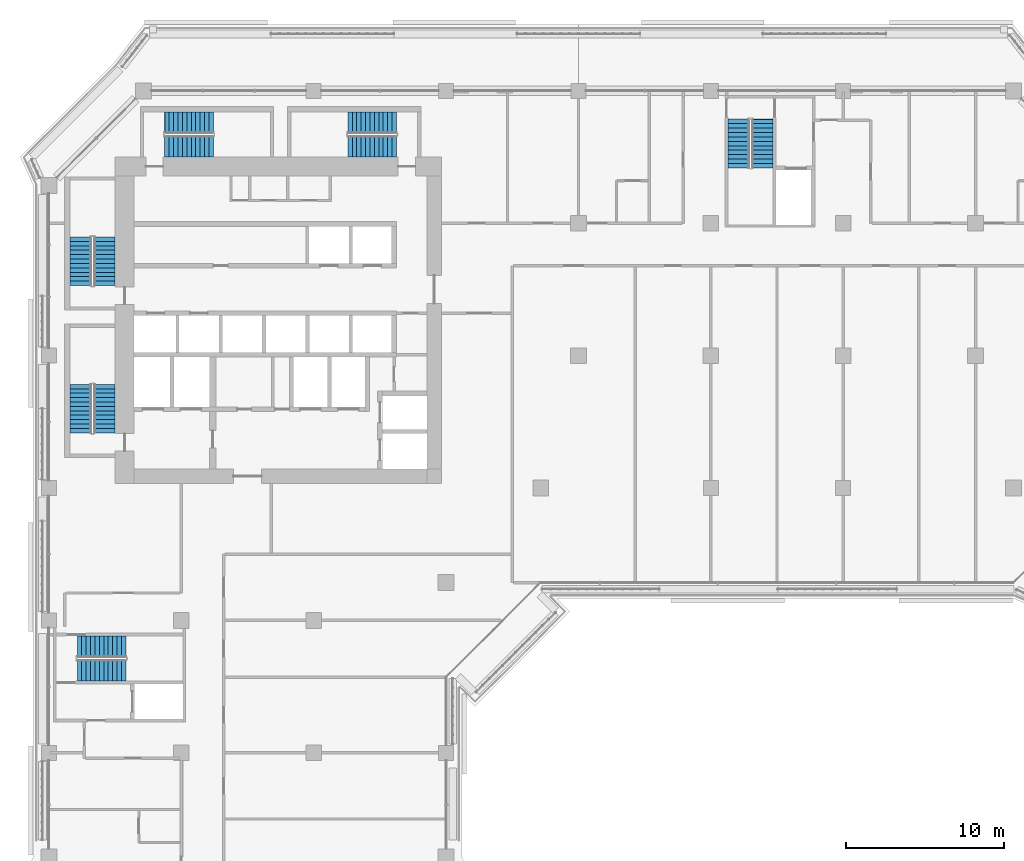
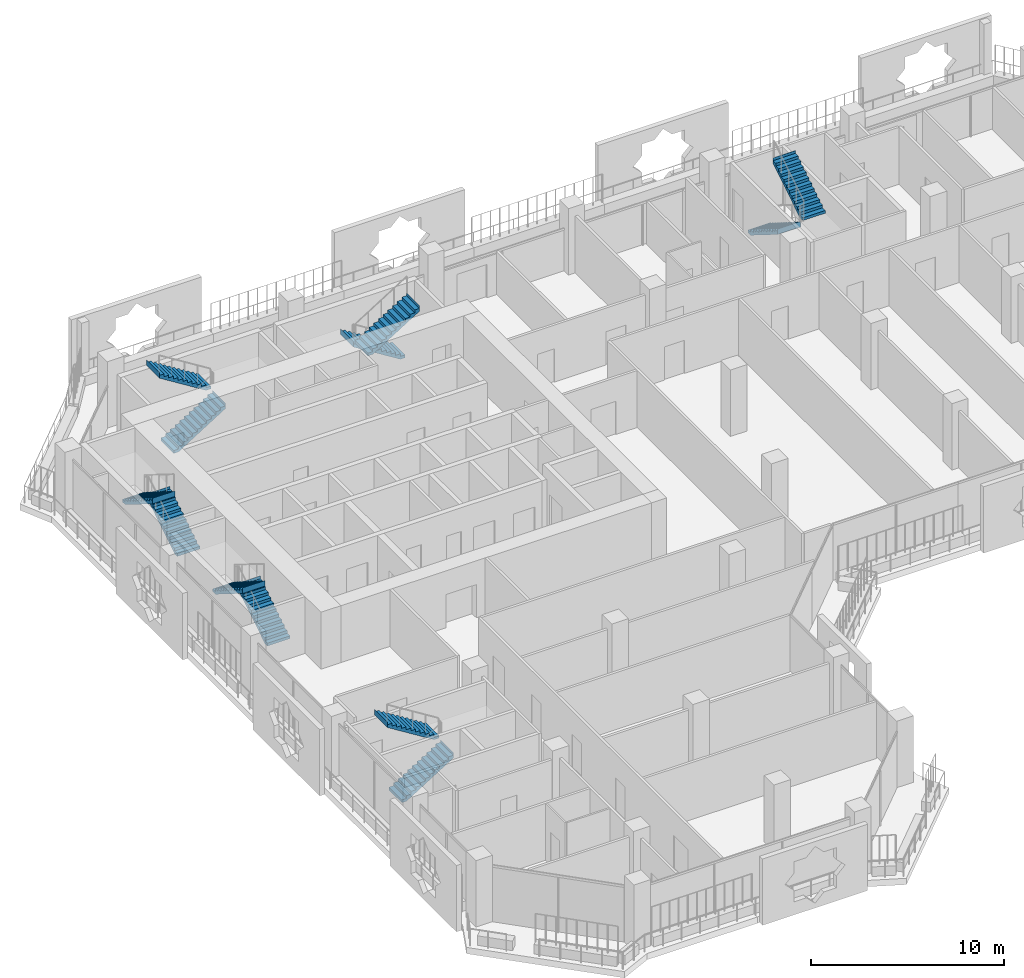
# One storey, part 14 of 22: 12 stair flights, 6 elements without a shape of their own.
"""IFC4 building model written with IfcOpenShell, lengths in metres."""

from ifc_helpers import new_model, si_unit, direction, frame, origin, place, context, subcontext, project, spatial, polyline, outline, extrude, material, type_object, element, aggregate, save


model = new_model("IFC4")

# Units and contexts
model_context = context("Model", 3, precision=1e-05, world=origin(), true_north=direction((0.0, 1.0)))
body_context = subcontext(model_context, "Body", "Model", "MODEL_VIEW")
ifc_project = project(units=[si_unit("LENGTHUNIT", "METRE"), si_unit("AREAUNIT", "SQUARE_METRE"), si_unit("VOLUMEUNIT", "CUBIC_METRE"), si_unit("PLANEANGLEUNIT", "RADIAN"), si_unit("MASSUNIT", "GRAM", prefix="KILO")], contexts=[model_context])

# Site, building, storey
site_placement = place(None, origin())
site = spatial("IfcSite", under=ifc_project, at=site_placement, CompositionType="ELEMENT")
building_placement = place(site_placement, origin())
building = spatial("IfcBuilding", under=site, at=building_placement, Name="Kawkab Arch Medical Tower", CompositionType="ELEMENT")
storey_placement = place(building_placement, frame((0.0, 0.0, 179.39990234375)))
storey = spatial("IfcBuildingStorey", under=building, at=storey_placement, Name="L41", CompositionType="ELEMENT", Elevation=179.39990234375)

# Stair, stair flights
ifc_material_1 = material(Name="Concrete C40/50", Category="concrete")
stair_type = type_object("IfcStairType", Name="Exit stair 1350", PredefinedType="HALF_TURN_STAIR", material=ifc_material_1)
placement = place(storey_placement, origin())
stair_1 = element("IfcStair", 1, at=placement, inside=storey, type_object=stair_type, Name="L41 Exit stair ST1", PredefinedType="HALF_TURN_STAIR")
ifc_material_2 = material(Name="Concrete C40/50", Category="concrete")
stair_flight_type = type_object("IfcStairFlightType", Name="Exit stair flight 1350", PredefinedType="STRAIGHT", material=ifc_material_2)
stair_flight_1_placement = place(storey_placement, frame((3.52490234375, -12.35009765625, 0.0), z_axis=(0.0, 0.0, 1.0), x_axis=(0.0, 1.0, 0.0)))
stair_flight_1 = element("IfcStairFlight", 2, at=stair_flight_1_placement, type_object=stair_flight_type, Name="ST1 flight 1", NumberOfRisers=12, NumberOfTreads=11, PredefinedType="STRAIGHT", RiserHeight=0.175, TreadLength=0.28, context=body_context, shape_type="SweptSolid", body=[
    extrude(outline(polyline([(-0.0029296875, 0.0), (-0.0029296875, 0.175048828125), (0.0, 0.175048828125), (0.280029296875, 0.175048828125), (0.280029296875, 0.35009765625), (0.56005859375, 0.35009765625), (0.56005859375, 0.52490234375), (0.840087890625, 0.52490234375), (0.840087890625, 0.699951171875), (1.1201171875, 0.699951171875), (1.1201171875, 0.875), (1.39990234375, 0.875), (1.39990234375, 1.050048828125), (1.679931640625, 1.050048828125), (1.679931640625, 1.22509765625), (1.9599609375, 1.22509765625), (1.9599609375, 1.39990234375), (2.239990234375, 1.39990234375), (2.239990234375, 1.574951171875), (2.52001953125, 1.574951171875), (2.52001953125, 1.75), (2.800048828125, 1.75), (2.800048828125, 1.925048828125), (3.080078125, 1.925048828125), (3.080078125, 2.10009765625), (3.0830078125, 2.10009765625), (3.0830078125, 1.748291015625), (3.080078125, 1.748291015625), (0.28271484375, 0.0), (-0.0029296875, 0.0)])), frame((0.0, 0.675048828125, 0.0), z_axis=(0.0, -1.0, 0.0), x_axis=(1.0, 0.0, 0.0)), (0.0, 0.0, 1.0), 1.35009765625),
])
stair_flight_2_placement = place(storey_placement, frame((2.02490234375, -9.27001953125, 2.10009765625), z_axis=(0.0, 0.0, 1.0), x_axis=(0.0, -1.0, 0.0)))
stair_flight_2 = element("IfcStairFlight", 3, at=stair_flight_2_placement, type_object=stair_flight_type, Name="ST1 flight 2", NumberOfRisers=12, NumberOfTreads=11, PredefinedType="STRAIGHT", RiserHeight=0.175, TreadLength=0.28, context=body_context, shape_type="SweptSolid", body=[
    extrude(outline(polyline([(-0.0029296875, 0.0), (-0.0029296875, 0.175048828125), (0.0, 0.175048828125), (0.280029296875, 0.175048828125), (0.280029296875, 0.35009765625), (0.56005859375, 0.35009765625), (0.56005859375, 0.52490234375), (0.840087890625, 0.52490234375), (0.840087890625, 0.699951171875), (1.1201171875, 0.699951171875), (1.1201171875, 0.875), (1.39990234375, 0.875), (1.39990234375, 1.050048828125), (1.679931640625, 1.050048828125), (1.679931640625, 1.22509765625), (1.9599609375, 1.22509765625), (1.9599609375, 1.39990234375), (2.239990234375, 1.39990234375), (2.239990234375, 1.574951171875), (2.52001953125, 1.574951171875), (2.52001953125, 1.75), (2.800048828125, 1.75), (2.800048828125, 1.925048828125), (3.080078125, 1.925048828125), (3.080078125, 2.10009765625), (3.0830078125, 2.10009765625), (3.0830078125, 1.748291015625), (3.080078125, 1.748291015625), (0.28271484375, 0.0), (-0.0029296875, 0.0)])), frame((0.0, 0.675048828125, 0.0), z_axis=(0.0, -1.0, 0.0), x_axis=(1.0, 0.0, 0.0)), (0.0, 0.0, 1.0), 1.35009765625),
])
aggregate(stair_1, [stair_flight_1, stair_flight_2])

stair_2 = element("IfcStair", 4, at=placement, inside=storey, type_object=stair_type, Name="L41 Exit stair ST2", PredefinedType="HALF_TURN_STAIR")
stair_flight_3_placement = place(storey_placement, frame((3.52490234375, -21.699951171875, 0.0), z_axis=(0.0, 0.0, 1.0), x_axis=(0.0, 1.0, 0.0)))
stair_flight_3 = element("IfcStairFlight", 5, at=stair_flight_3_placement, type_object=stair_flight_type, Name="ST2 flight 1", NumberOfRisers=12, NumberOfTreads=11, PredefinedType="STRAIGHT", RiserHeight=0.175, TreadLength=0.28, context=body_context, shape_type="SweptSolid", body=[
    extrude(outline(polyline([(-0.0029296875, 0.0), (-0.0029296875, 0.175048828125), (0.0, 0.175048828125), (0.280029296875, 0.175048828125), (0.280029296875, 0.35009765625), (0.56005859375, 0.35009765625), (0.56005859375, 0.52490234375), (0.840087890625, 0.52490234375), (0.840087890625, 0.699951171875), (1.1201171875, 0.699951171875), (1.1201171875, 0.875), (1.39990234375, 0.875), (1.39990234375, 1.050048828125), (1.679931640625, 1.050048828125), (1.679931640625, 1.22509765625), (1.9599609375, 1.22509765625), (1.9599609375, 1.39990234375), (2.239990234375, 1.39990234375), (2.239990234375, 1.574951171875), (2.52001953125, 1.574951171875), (2.52001953125, 1.75), (2.800048828125, 1.75), (2.800048828125, 1.925048828125), (3.080078125, 1.925048828125), (3.080078125, 2.10009765625), (3.0830078125, 2.10009765625), (3.0830078125, 1.748291015625), (3.080078125, 1.748291015625), (0.28271484375, 0.0), (-0.0029296875, 0.0)])), frame((0.0, 0.675048828125, 0.0), z_axis=(0.0, -1.0, 0.0), x_axis=(1.0, 0.0, 0.0)), (0.0, 0.0, 1.0), 1.35009765625),
])
stair_flight_4_placement = place(storey_placement, frame((2.02490234375, -18.6201171875, 2.10009765625), z_axis=(0.0, 0.0, 1.0), x_axis=(0.0, -1.0, 0.0)))
stair_flight_4 = element("IfcStairFlight", 6, at=stair_flight_4_placement, type_object=stair_flight_type, Name="ST2 flight 2", NumberOfRisers=12, NumberOfTreads=11, PredefinedType="STRAIGHT", RiserHeight=0.175, TreadLength=0.28, context=body_context, shape_type="SweptSolid", body=[
    extrude(outline(polyline([(-0.0029296875, 0.0), (-0.0029296875, 0.175048828125), (0.0, 0.175048828125), (0.280029296875, 0.175048828125), (0.280029296875, 0.35009765625), (0.56005859375, 0.35009765625), (0.56005859375, 0.52490234375), (0.840087890625, 0.52490234375), (0.840087890625, 0.699951171875), (1.1201171875, 0.699951171875), (1.1201171875, 0.875), (1.39990234375, 0.875), (1.39990234375, 1.050048828125), (1.679931640625, 1.050048828125), (1.679931640625, 1.22509765625), (1.9599609375, 1.22509765625), (1.9599609375, 1.39990234375), (2.239990234375, 1.39990234375), (2.239990234375, 1.574951171875), (2.52001953125, 1.574951171875), (2.52001953125, 1.75), (2.800048828125, 1.75), (2.800048828125, 1.925048828125), (3.080078125, 1.925048828125), (3.080078125, 2.10009765625), (3.0830078125, 2.10009765625), (3.0830078125, 1.748291015625), (3.080078125, 1.748291015625), (0.28271484375, 0.0), (-0.0029296875, 0.0)])), frame((0.0, 0.675048828125, 0.0), z_axis=(0.0, -1.0, 0.0), x_axis=(1.0, 0.0, 0.0)), (0.0, 0.0, 1.0), 1.35009765625),
])
aggregate(stair_2, [stair_flight_3, stair_flight_4])

stair_3 = element("IfcStair", 7, at=placement, inside=storey, type_object=stair_type, Name="L41 Exit stair ST3", PredefinedType="HALF_TURN_STAIR")
stair_flight_5_placement = place(storey_placement, frame((7.35009765625, -3.52490234375, 0.0), z_axis=(0.0, 0.0, 1.0), x_axis=(1.0, 0.0, 0.0)))
stair_flight_5 = element("IfcStairFlight", 8, at=stair_flight_5_placement, type_object=stair_flight_type, Name="ST3 flight 1", NumberOfRisers=12, NumberOfTreads=11, PredefinedType="STRAIGHT", RiserHeight=0.175, TreadLength=0.28, context=body_context, shape_type="SweptSolid", body=[
    extrude(outline(polyline([(-0.0029296875, 0.0), (-0.0029296875, 0.175048828125), (0.0, 0.175048828125), (0.280029296875, 0.175048828125), (0.280029296875, 0.35009765625), (0.56005859375, 0.35009765625), (0.56005859375, 0.52490234375), (0.840087890625, 0.52490234375), (0.840087890625, 0.699951171875), (1.1201171875, 0.699951171875), (1.1201171875, 0.875), (1.39990234375, 0.875), (1.39990234375, 1.050048828125), (1.679931640625, 1.050048828125), (1.679931640625, 1.22509765625), (1.9599609375, 1.22509765625), (1.9599609375, 1.39990234375), (2.239990234375, 1.39990234375), (2.239990234375, 1.574951171875), (2.52001953125, 1.574951171875), (2.52001953125, 1.75), (2.800048828125, 1.75), (2.800048828125, 1.925048828125), (3.080078125, 1.925048828125), (3.080078125, 2.10009765625), (3.0830078125, 2.10009765625), (3.0830078125, 1.748291015625), (3.080078125, 1.748291015625), (0.28271484375, 0.0), (-0.0029296875, 0.0)])), frame((0.0, 0.675048828125, 0.0), z_axis=(0.0, -1.0, 0.0), x_axis=(1.0, 0.0, 0.0)), (0.0, 0.0, 1.0), 1.35009765625),
])
stair_flight_6_placement = place(storey_placement, frame((10.429931640625, -2.02490234375, 2.10009765625), z_axis=(0.0, 0.0, 1.0), x_axis=(-1.0, 0.0, 0.0)))
stair_flight_6 = element("IfcStairFlight", 9, at=stair_flight_6_placement, type_object=stair_flight_type, Name="ST3 flight 2", NumberOfRisers=12, NumberOfTreads=11, PredefinedType="STRAIGHT", RiserHeight=0.175, TreadLength=0.28, context=body_context, shape_type="SweptSolid", body=[
    extrude(outline(polyline([(-0.0029296875, 0.0), (-0.0029296875, 0.175048828125), (0.0, 0.175048828125), (0.280029296875, 0.175048828125), (0.280029296875, 0.35009765625), (0.56005859375, 0.35009765625), (0.56005859375, 0.52490234375), (0.840087890625, 0.52490234375), (0.840087890625, 0.699951171875), (1.1201171875, 0.699951171875), (1.1201171875, 0.875), (1.39990234375, 0.875), (1.39990234375, 1.050048828125), (1.679931640625, 1.050048828125), (1.679931640625, 1.22509765625), (1.9599609375, 1.22509765625), (1.9599609375, 1.39990234375), (2.239990234375, 1.39990234375), (2.239990234375, 1.574951171875), (2.52001953125, 1.574951171875), (2.52001953125, 1.75), (2.800048828125, 1.75), (2.800048828125, 1.925048828125), (3.080078125, 1.925048828125), (3.080078125, 2.10009765625), (3.0830078125, 2.10009765625), (3.0830078125, 1.748291015625), (3.080078125, 1.748291015625), (0.28271484375, 0.0), (-0.0029296875, 0.0)])), frame((0.0, 0.675048828125, 0.0), z_axis=(0.0, -1.0, 0.0), x_axis=(1.0, 0.0, 0.0)), (0.0, 0.0, 1.0), 1.35009765625),
])
aggregate(stair_3, [stair_flight_5, stair_flight_6])

stair_4 = element("IfcStair", 10, at=placement, inside=storey, type_object=stair_type, Name="L41 Exit stair ST4", PredefinedType="HALF_TURN_STAIR")
stair_flight_7_placement = place(storey_placement, frame((22.050048828125, -2.02490234375, 0.0), z_axis=(0.0, 0.0, 1.0), x_axis=(-1.0, 0.0, 0.0)))
stair_flight_7 = element("IfcStairFlight", 11, at=stair_flight_7_placement, type_object=stair_flight_type, Name="ST4 flight 1", NumberOfRisers=12, NumberOfTreads=11, PredefinedType="STRAIGHT", RiserHeight=0.175, TreadLength=0.28, context=body_context, shape_type="SweptSolid", body=[
    extrude(outline(polyline([(-0.0029296875, 0.0), (-0.0029296875, 0.175048828125), (0.0, 0.175048828125), (0.280029296875, 0.175048828125), (0.280029296875, 0.35009765625), (0.56005859375, 0.35009765625), (0.56005859375, 0.52490234375), (0.840087890625, 0.52490234375), (0.840087890625, 0.699951171875), (1.1201171875, 0.699951171875), (1.1201171875, 0.875), (1.39990234375, 0.875), (1.39990234375, 1.050048828125), (1.679931640625, 1.050048828125), (1.679931640625, 1.22509765625), (1.9599609375, 1.22509765625), (1.9599609375, 1.39990234375), (2.239990234375, 1.39990234375), (2.239990234375, 1.574951171875), (2.52001953125, 1.574951171875), (2.52001953125, 1.75), (2.800048828125, 1.75), (2.800048828125, 1.925048828125), (3.080078125, 1.925048828125), (3.080078125, 2.10009765625), (3.0830078125, 2.10009765625), (3.0830078125, 1.748291015625), (3.080078125, 1.748291015625), (0.28271484375, 0.0), (-0.0029296875, 0.0)])), frame((0.0, 0.675048828125, 0.0), z_axis=(0.0, -1.0, 0.0), x_axis=(1.0, 0.0, 0.0)), (0.0, 0.0, 1.0), 1.35009765625),
])
stair_flight_8_placement = place(storey_placement, frame((18.969970703125, -3.52490234375, 2.10009765625), z_axis=(0.0, 0.0, 1.0), x_axis=(1.0, 0.0, 0.0)))
stair_flight_8 = element("IfcStairFlight", 12, at=stair_flight_8_placement, type_object=stair_flight_type, Name="ST4 flight 2", NumberOfRisers=12, NumberOfTreads=11, PredefinedType="STRAIGHT", RiserHeight=0.175, TreadLength=0.28, context=body_context, shape_type="SweptSolid", body=[
    extrude(outline(polyline([(-0.0029296875, 0.0), (-0.0029296875, 0.175048828125), (0.0, 0.175048828125), (0.280029296875, 0.175048828125), (0.280029296875, 0.35009765625), (0.56005859375, 0.35009765625), (0.56005859375, 0.52490234375), (0.840087890625, 0.52490234375), (0.840087890625, 0.699951171875), (1.1201171875, 0.699951171875), (1.1201171875, 0.875), (1.39990234375, 0.875), (1.39990234375, 1.050048828125), (1.679931640625, 1.050048828125), (1.679931640625, 1.22509765625), (1.9599609375, 1.22509765625), (1.9599609375, 1.39990234375), (2.239990234375, 1.39990234375), (2.239990234375, 1.574951171875), (2.52001953125, 1.574951171875), (2.52001953125, 1.75), (2.800048828125, 1.75), (2.800048828125, 1.925048828125), (3.080078125, 1.925048828125), (3.080078125, 2.10009765625), (3.0830078125, 2.10009765625), (3.0830078125, 1.748291015625), (3.080078125, 1.748291015625), (0.28271484375, 0.0), (-0.0029296875, 0.0)])), frame((0.0, 0.675048828125, 0.0), z_axis=(0.0, -1.0, 0.0), x_axis=(1.0, 0.0, 0.0)), (0.0, 0.0, 1.0), 1.35009765625),
])
aggregate(stair_4, [stair_flight_7, stair_flight_8])

stair_5 = element("IfcStair", 13, at=placement, inside=storey, type_object=stair_type, Name="L41 Exit stair ST5", PredefinedType="HALF_TURN_STAIR")
stair_flight_9_placement = place(storey_placement, frame((43.77490234375, -1.800048828125, 0.0), z_axis=(0.0, 0.0, 1.0), x_axis=(0.0, -1.0, 0.0)))
stair_flight_9 = element("IfcStairFlight", 14, at=stair_flight_9_placement, type_object=stair_flight_type, Name="ST5 flight 1", NumberOfRisers=12, NumberOfTreads=11, PredefinedType="STRAIGHT", RiserHeight=0.175, TreadLength=0.28, context=body_context, shape_type="SweptSolid", body=[
    extrude(outline(polyline([(-0.0029296875, 0.0), (-0.0029296875, 0.175048828125), (0.0, 0.175048828125), (0.280029296875, 0.175048828125), (0.280029296875, 0.35009765625), (0.56005859375, 0.35009765625), (0.56005859375, 0.52490234375), (0.840087890625, 0.52490234375), (0.840087890625, 0.699951171875), (1.1201171875, 0.699951171875), (1.1201171875, 0.875), (1.39990234375, 0.875), (1.39990234375, 1.050048828125), (1.679931640625, 1.050048828125), (1.679931640625, 1.22509765625), (1.9599609375, 1.22509765625), (1.9599609375, 1.39990234375), (2.239990234375, 1.39990234375), (2.239990234375, 1.574951171875), (2.52001953125, 1.574951171875), (2.52001953125, 1.75), (2.800048828125, 1.75), (2.800048828125, 1.925048828125), (3.080078125, 1.925048828125), (3.080078125, 2.10009765625), (3.0830078125, 2.10009765625), (3.0830078125, 1.748291015625), (3.080078125, 1.748291015625), (0.28271484375, 0.0), (-0.0029296875, 0.0)])), frame((0.0, 0.675048828125, 0.0), z_axis=(0.0, -1.0, 0.0), x_axis=(1.0, 0.0, 0.0)), (0.0, 0.0, 1.0), 1.35009765625),
])
stair_flight_10_placement = place(storey_placement, frame((45.27490234375, -4.8798828125, 2.10009765625), z_axis=(0.0, 0.0, 1.0), x_axis=(0.0, 1.0, 0.0)))
stair_flight_10 = element("IfcStairFlight", 15, at=stair_flight_10_placement, type_object=stair_flight_type, Name="ST5 flight 2", NumberOfRisers=12, NumberOfTreads=11, PredefinedType="STRAIGHT", RiserHeight=0.175, TreadLength=0.28, context=body_context, shape_type="SweptSolid", body=[
    extrude(outline(polyline([(-0.0029296875, 0.0), (-0.0029296875, 0.175048828125), (0.0, 0.175048828125), (0.280029296875, 0.175048828125), (0.280029296875, 0.35009765625), (0.56005859375, 0.35009765625), (0.56005859375, 0.52490234375), (0.840087890625, 0.52490234375), (0.840087890625, 0.699951171875), (1.1201171875, 0.699951171875), (1.1201171875, 0.875), (1.39990234375, 0.875), (1.39990234375, 1.050048828125), (1.679931640625, 1.050048828125), (1.679931640625, 1.22509765625), (1.9599609375, 1.22509765625), (1.9599609375, 1.39990234375), (2.239990234375, 1.39990234375), (2.239990234375, 1.574951171875), (2.52001953125, 1.574951171875), (2.52001953125, 1.75), (2.800048828125, 1.75), (2.800048828125, 1.925048828125), (3.080078125, 1.925048828125), (3.080078125, 2.10009765625), (3.0830078125, 2.10009765625), (3.0830078125, 1.748291015625), (3.080078125, 1.748291015625), (0.28271484375, 0.0), (-0.0029296875, 0.0)])), frame((0.0, 0.675048828125, 0.0), z_axis=(0.0, -1.0, 0.0), x_axis=(1.0, 0.0, 0.0)), (0.0, 0.0, 1.0), 1.35009765625),
])
aggregate(stair_5, [stair_flight_9, stair_flight_10])

stair_6 = element("IfcStair", 16, at=placement, inside=storey, type_object=stair_type, Name="L41 Exit stair ST6", PredefinedType="HALF_TURN_STAIR")
stair_flight_11_placement = place(storey_placement, frame((1.800048828125, -36.77490234375, 0.0), z_axis=(0.0, 0.0, 1.0), x_axis=(1.0, 0.0, 0.0)))
stair_flight_11 = element("IfcStairFlight", 17, at=stair_flight_11_placement, type_object=stair_flight_type, Name="ST6 flight 1", NumberOfRisers=12, NumberOfTreads=11, PredefinedType="STRAIGHT", RiserHeight=0.175, TreadLength=0.28, context=body_context, shape_type="SweptSolid", body=[
    extrude(outline(polyline([(-0.0029296875, 0.0), (-0.0029296875, 0.175048828125), (0.0, 0.175048828125), (0.280029296875, 0.175048828125), (0.280029296875, 0.35009765625), (0.56005859375, 0.35009765625), (0.56005859375, 0.52490234375), (0.840087890625, 0.52490234375), (0.840087890625, 0.699951171875), (1.1201171875, 0.699951171875), (1.1201171875, 0.875), (1.39990234375, 0.875), (1.39990234375, 1.050048828125), (1.679931640625, 1.050048828125), (1.679931640625, 1.22509765625), (1.9599609375, 1.22509765625), (1.9599609375, 1.39990234375), (2.239990234375, 1.39990234375), (2.239990234375, 1.574951171875), (2.52001953125, 1.574951171875), (2.52001953125, 1.75), (2.800048828125, 1.75), (2.800048828125, 1.925048828125), (3.080078125, 1.925048828125), (3.080078125, 2.10009765625), (3.0830078125, 2.10009765625), (3.0830078125, 1.748291015625), (3.080078125, 1.748291015625), (0.28271484375, 0.0), (-0.0029296875, 0.0)])), frame((0.0, 0.675048828125, 0.0), z_axis=(0.0, -1.0, 0.0), x_axis=(1.0, 0.0, 0.0)), (0.0, 0.0, 1.0), 1.35009765625),
])
stair_flight_12_placement = place(storey_placement, frame((4.8798828125, -35.27490234375, 2.10009765625), z_axis=(0.0, 0.0, 1.0), x_axis=(-1.0, 0.0, 0.0)))
stair_flight_12 = element("IfcStairFlight", 18, at=stair_flight_12_placement, type_object=stair_flight_type, Name="ST6 flight 2", NumberOfRisers=12, NumberOfTreads=11, PredefinedType="STRAIGHT", RiserHeight=0.175, TreadLength=0.28, context=body_context, shape_type="SweptSolid", body=[
    extrude(outline(polyline([(-0.0029296875, 0.0), (-0.0029296875, 0.175048828125), (0.0, 0.175048828125), (0.280029296875, 0.175048828125), (0.280029296875, 0.35009765625), (0.56005859375, 0.35009765625), (0.56005859375, 0.52490234375), (0.840087890625, 0.52490234375), (0.840087890625, 0.699951171875), (1.1201171875, 0.699951171875), (1.1201171875, 0.875), (1.39990234375, 0.875), (1.39990234375, 1.050048828125), (1.679931640625, 1.050048828125), (1.679931640625, 1.22509765625), (1.9599609375, 1.22509765625), (1.9599609375, 1.39990234375), (2.239990234375, 1.39990234375), (2.239990234375, 1.574951171875), (2.52001953125, 1.574951171875), (2.52001953125, 1.75), (2.800048828125, 1.75), (2.800048828125, 1.925048828125), (3.080078125, 1.925048828125), (3.080078125, 2.10009765625), (3.0830078125, 2.10009765625), (3.0830078125, 1.748291015625), (3.080078125, 1.748291015625), (0.28271484375, 0.0), (-0.0029296875, 0.0)])), frame((0.0, 0.675048828125, 0.0), z_axis=(0.0, -1.0, 0.0), x_axis=(1.0, 0.0, 0.0)), (0.0, 0.0, 1.0), 1.35009765625),
])
aggregate(stair_6, [stair_flight_11, stair_flight_12])

save(model, "model.ifc")
